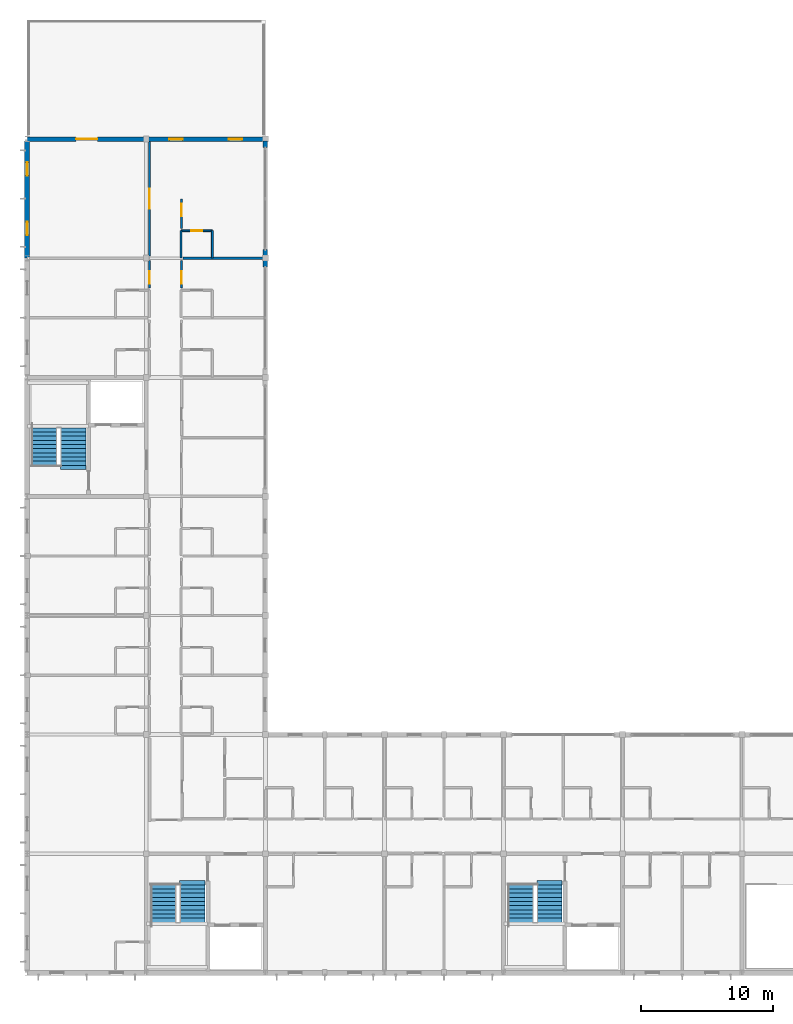
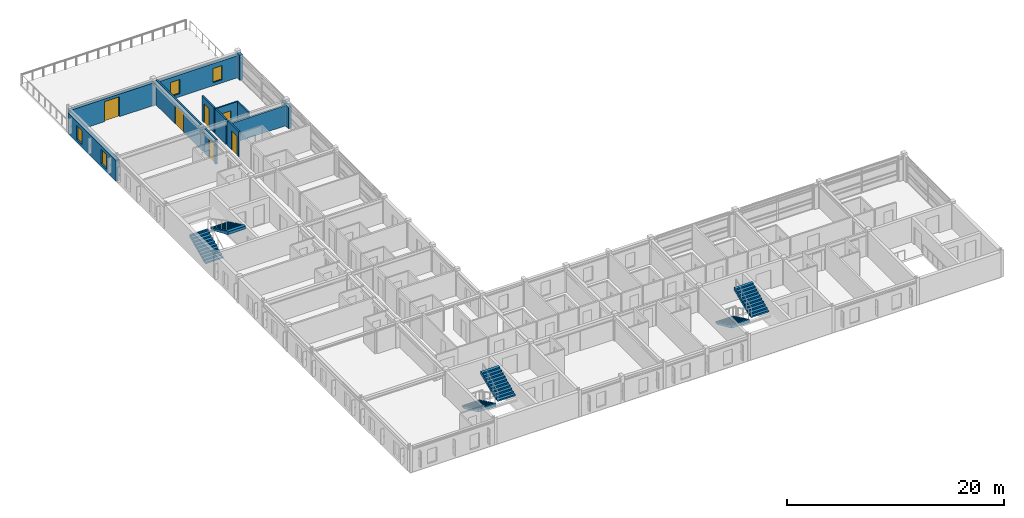
# One storey, part 14 of 20: 14 walls, 6 doors, 6 stair flights, 4 windows, 10 openings, 3 elements without a shape of their own.
"""IFC4 building model written with IfcOpenShell, lengths in metres."""

from ifc_helpers import new_model, si_unit, direction, frame, frame_2d, origin, place, context, subcontext, project, spatial, polyline, rectangle, outline, extrude, material, layer, layer_set, type_object, element, fill, aggregate, save


model = new_model("IFC4")

# Units and contexts
model_context = context("Model", 3, precision=1e-05, world=origin(), true_north=direction((0.0, 1.0)))
body_context = subcontext(model_context, "Body", "Model", "MODEL_VIEW")
ifc_project = project(units=[si_unit("LENGTHUNIT", "METRE"), si_unit("AREAUNIT", "SQUARE_METRE"), si_unit("VOLUMEUNIT", "CUBIC_METRE"), si_unit("PLANEANGLEUNIT", "RADIAN"), si_unit("MASSUNIT", "GRAM", prefix="KILO")], contexts=[model_context])

# Site, building, storey
site_placement = place(None, origin())
site = spatial("IfcSite", under=ifc_project, at=site_placement, CompositionType="ELEMENT")
building_placement = place(site_placement, origin())
building = spatial("IfcBuilding", under=site, at=building_placement, Name="Palais des Congres Ocreval", CompositionType="ELEMENT")
storey_placement = place(building_placement, frame((0.0, 0.0, 20.639892578125)))
storey = spatial("IfcBuildingStorey", under=building, at=storey_placement, Name="L06", CompositionType="ELEMENT", Elevation=20.639892578125)

# Wall, opening, door
ifc_material_1 = material(Name="Moisture-resistant gypsum board")
ifc_layer_1 = layer(ifc_material_1, 0.139892578125)
ifc_layer_set_1 = layer_set([ifc_layer_1], Name="Bathroom Plumbing Chase Wall 140 Gypsum (Moisture-resistant gypsum board)")
wall_type_1 = type_object("IfcWallType", Name="Bathroom Plumbing Chase Wall 140 Gypsum", PredefinedType="PLUMBINGWALL", material=ifc_layer_set_1)
wall_1_placement = place(storey_placement, frame((11.639892578125, 56.080078125, 0.0), z_axis=(0.0, 0.0, 1.0), x_axis=(1.0, 0.0, 0.0)))
wall_1 = element("IfcWall", 1, at=wall_1_placement, inside=storey, type_object=wall_type_1, Name="Bathroom Plumbing Wall PW03 L06", PredefinedType="PLUMBINGWALL", context=body_context, shape_type="SweptSolid", body=[
    extrude(rectangle(XDim=2.360107421875, YDim=0.139892578125, at=frame_2d((1.18017578125, 0.0))), origin(), (0.0, 0.0, 1.0), 2.820068359375),
])
opening_1_placement = place(wall_1_placement, frame((0.7548828125, 0.0, 0.0)))
opening_1 = element("IfcOpeningElement", 2, at=opening_1_placement, cuts=wall_1, Name="Opening D08", PredefinedType="OPENING", context=body_context, shape_type="SweptSolid", body=[
    extrude(rectangle(XDim=0.85009765625, YDim=2.0400390625, at=frame_2d((0.425048828125, 1.02001953125))), frame((0.0, 0.079833984375, 0.0), z_axis=(0.0, -1.0, 0.0), x_axis=(1.0, 0.0, 0.0)), (0.0, 0.0, 1.0), 0.159912109375),
])
ifc_material_2 = material(Name="Solid French oak", Category="wood")
door_type_1 = type_object("IfcDoorType", Name="En-Suite Bathroom Door 850x2040", OperationType="NOTDEFINED", PredefinedType="DOOR", material=ifc_material_2)
door_1_placement = place(opening_1_placement, origin())
door_1 = element("IfcDoor", 3, at=door_1_placement, inside=storey, type_object=door_type_1, Name="En-Suite Bathroom Door D08 L06", OperationType="SINGLE_SWING_RIGHT", OverallHeight=2.0400390625, OverallWidth=0.85009765625, PredefinedType="DOOR", context=body_context, shape_type="SweptSolid", body=[
    extrude(rectangle(XDim=0.85009765625, YDim=2.0400390625, at=frame_2d((0.425048828125, 1.02001953125))), frame((0.0, 0.02490234375, 0.0), z_axis=(0.0, -1.0, 0.0), x_axis=(1.0, 0.0, 0.0)), (0.0, 0.0, 1.0), 0.050048828125),
])
fill(opening_1, door_1)

# Walls
wall_2_placement = place(storey_placement, frame((14.0, 54.02001953125, 0.0), z_axis=(0.0, 0.0, 1.0), x_axis=(0.0, 1.0, 0.0)))
element("IfcWall", 4, at=wall_2_placement, inside=storey, type_object=wall_type_1, Name="Bathroom Plumbing Wall PW03 L06", PredefinedType="PLUMBINGWALL", context=body_context, shape_type="SweptSolid", body=[
    extrude(rectangle(XDim=2.06005859375, YDim=0.139892578125, at=frame_2d((1.030029296875, 0.0))), origin(), (0.0, 0.0, 1.0), 2.820068359375),
])
ifc_material_3 = material(Name="Gypsum acoustic partition")
ifc_layer_2 = layer(ifc_material_3, 0.159912109375)
ifc_layer_set_2 = layer_set([ifc_layer_2], Name="Corridor Fire Partition 160 Gypsum (Gypsum acoustic partition)")
wall_type_2 = type_object("IfcWallType", Name="Corridor Fire Partition 160 Gypsum", PredefinedType="PARTITIONING", material=ifc_layer_set_2)
wall_3_placement = place(storey_placement, frame((11.639892578125, 54.02001953125, 0.0), z_axis=(0.0, 0.0, 1.0), x_axis=(0.0, 1.0, 0.0)))
element("IfcWall", 5, at=wall_3_placement, inside=storey, type_object=wall_type_2, Name="Corridor Partition IW03 L06", PredefinedType="PARTITIONING", context=body_context, shape_type="SweptSolid", body=[
    extrude(rectangle(XDim=2.06005859375, YDim=0.159912109375, at=frame_2d((1.030029296875, 0.0))), origin(), (0.0, 0.0, 1.0), 2.820068359375),
])

# Wall, opening, door
wall_4_placement = place(storey_placement, frame((9.25, 51.735107421875, 0.0), z_axis=(0.0, 0.0, 1.0), x_axis=(0.0, 1.0, 0.0)))
wall_4 = element("IfcWall", 6, at=wall_4_placement, inside=storey, type_object=wall_type_2, Name="Interior Partition IW03 L06", PredefinedType="PARTITIONING", context=body_context, shape_type="SweptSolid", body=[
    extrude(rectangle(XDim=2.10986328125, YDim=0.159912109375, at=frame_2d((1.054931640625, 0.0))), origin(), (0.0, 0.0, 1.0), 2.820068359375),
])
opening_2_placement = place(wall_4_placement, frame((0.326904296875, 0.0, 0.0)))
opening_2 = element("IfcOpeningElement", 7, at=opening_2_placement, cuts=wall_4, Name="Opening D05", PredefinedType="OPENING", context=body_context, shape_type="SweptSolid", body=[
    extrude(rectangle(XDim=0.949951171875, YDim=2.14990234375, at=frame_2d((0.47509765625, 1.074951171875))), frame((0.0, 0.08984375, 0.0), z_axis=(0.0, -1.0, 0.0), x_axis=(1.0, 0.0, 0.0)), (0.0, 0.0, 1.0), 0.179931640625),
])
door_type_2 = type_object("IfcDoorType", Name="Hotel Guestroom Entrance Door 950x2150", OperationType="NOTDEFINED", PredefinedType="DOOR", material=ifc_material_2)
door_2_placement = place(opening_2_placement, origin())
door_2 = element("IfcDoor", 8, at=door_2_placement, inside=storey, type_object=door_type_2, Name="Interior Door D05 L06", OperationType="SINGLE_SWING_LEFT", OverallHeight=2.14990234375, OverallWidth=0.949951171875, PredefinedType="DOOR", context=body_context, shape_type="SweptSolid", body=[
    extrude(rectangle(XDim=0.949951171875, YDim=2.14990234375, at=frame_2d((0.47509765625, 1.074951171875))), frame((0.0, 0.02490234375, 0.0), z_axis=(0.0, -1.0, 0.0), x_axis=(1.0, 0.0, 0.0)), (0.0, 0.0, 1.0), 0.050048828125),
])
fill(opening_2, door_2)

wall_5_placement = place(storey_placement, frame((11.669921875, 51.735107421875, 0.0), z_axis=(0.0, 0.0, 1.0), x_axis=(0.0, 1.0, 0.0)))
wall_5 = element("IfcWall", 9, at=wall_5_placement, inside=storey, type_object=wall_type_2, Name="Interior Partition IW03 L06", PredefinedType="PARTITIONING", context=body_context, shape_type="SweptSolid", body=[
    extrude(rectangle(XDim=2.10986328125, YDim=0.159912109375, at=frame_2d((1.054931640625, 0.0))), origin(), (0.0, 0.0, 1.0), 2.820068359375),
])
opening_3_placement = place(wall_5_placement, frame((0.326904296875, 0.0, 0.0)))
opening_3 = element("IfcOpeningElement", 10, at=opening_3_placement, cuts=wall_5, Name="Opening D05", PredefinedType="OPENING", context=body_context, shape_type="SweptSolid", body=[
    extrude(rectangle(XDim=0.949951171875, YDim=2.14990234375, at=frame_2d((0.47509765625, 1.074951171875))), frame((0.0, 0.08984375, 0.0), z_axis=(0.0, -1.0, 0.0), x_axis=(1.0, 0.0, 0.0)), (0.0, 0.0, 1.0), 0.179931640625),
])
door_3_placement = place(opening_3_placement, origin())
door_3 = element("IfcDoor", 11, at=door_3_placement, inside=storey, type_object=door_type_2, Name="Interior Door D05 L06", OperationType="SINGLE_SWING_LEFT", OverallHeight=2.14990234375, OverallWidth=0.949951171875, PredefinedType="DOOR", context=body_context, shape_type="SweptSolid", body=[
    extrude(rectangle(XDim=0.949951171875, YDim=2.14990234375, at=frame_2d((0.47509765625, 1.074951171875))), frame((0.0, 0.02490234375, 0.0), z_axis=(0.0, -1.0, 0.0), x_axis=(1.0, 0.0, 0.0)), (0.0, 0.0, 1.0), 0.050048828125),
])
fill(opening_3, door_3)

wall_6_placement = place(storey_placement, frame((9.25, 54.155029296875, 0.0), z_axis=(0.0, 0.0, 1.0), x_axis=(0.0, 1.0, 0.0)))
wall_6 = element("IfcWall", 12, at=wall_6_placement, inside=storey, type_object=wall_type_2, Name="Interior Partition IW03 L06", PredefinedType="PARTITIONING", context=body_context, shape_type="SweptSolid", body=[
    extrude(rectangle(XDim=8.669921875, YDim=0.159912109375, at=frame_2d((4.3349609375, 0.0))), origin(), (0.0, 0.0, 1.0), 2.820068359375),
])
opening_4_placement = place(wall_6_placement, frame((3.5849609375, 0.0, 0.0)))
opening_4 = element("IfcOpeningElement", 13, at=opening_4_placement, cuts=wall_6, Name="Opening D04", PredefinedType="OPENING", context=body_context, shape_type="SweptSolid", body=[
    extrude(rectangle(XDim=1.5, YDim=2.10009765625, at=frame_2d((0.75, 1.050048828125))), frame((0.0, 0.08984375, 0.0), z_axis=(0.0, -1.0, 0.0), x_axis=(1.0, 0.0, 0.0)), (0.0, 0.0, 1.0), 0.179931640625),
])
ifc_material_4 = material(Name="Solid French oak fire door", Category="wood")
door_type_3 = type_object("IfcDoorType", Name="Corridor Compartment Double Door 1500x2100", OperationType="NOTDEFINED", PredefinedType="DOOR", material=ifc_material_4)
door_4_placement = place(opening_4_placement, origin())
door_4 = element("IfcDoor", 14, at=door_4_placement, inside=storey, type_object=door_type_3, Name="Interior Door D04 L06", OperationType="DOUBLE_DOOR_SINGLE_SWING", OverallHeight=2.10009765625, OverallWidth=1.5, PredefinedType="DOOR", context=body_context, shape_type="SweptSolid", body=[
    extrude(rectangle(XDim=1.5, YDim=2.10009765625, at=frame_2d((0.75, 1.050048828125))), frame((0.0, 0.02490234375, 0.0), z_axis=(0.0, -1.0, 0.0), x_axis=(1.0, 0.0, 0.0)), (0.0, 0.0, 1.0), 0.050048828125),
])
fill(opening_4, door_4)

wall_7_placement = place(storey_placement, frame((11.669921875, 56.235107421875, 0.0), z_axis=(0.0, 0.0, 1.0), x_axis=(0.0, 1.0, 0.0)))
wall_7 = element("IfcWall", 15, at=wall_7_placement, inside=storey, type_object=wall_type_2, Name="Interior Partition IW03 L06", PredefinedType="PARTITIONING", context=body_context, shape_type="SweptSolid", body=[
    extrude(rectangle(XDim=2.244873046875, YDim=0.159912109375, at=frame_2d((1.12255859375, 0.0))), origin(), (0.0, 0.0, 1.0), 2.820068359375),
])
opening_5_placement = place(wall_7_placement, frame((0.9169921875, 0.0, 0.0)))
opening_5 = element("IfcOpeningElement", 16, at=opening_5_placement, cuts=wall_7, Name="Opening D05", PredefinedType="OPENING", context=body_context, shape_type="SweptSolid", body=[
    extrude(rectangle(XDim=0.949951171875, YDim=2.14990234375, at=frame_2d((0.47509765625, 1.074951171875))), frame((0.0, 0.08984375, 0.0), z_axis=(0.0, -1.0, 0.0), x_axis=(1.0, 0.0, 0.0)), (0.0, 0.0, 1.0), 0.179931640625),
])
door_5_placement = place(opening_5_placement, origin())
door_5 = element("IfcDoor", 17, at=door_5_placement, inside=storey, type_object=door_type_2, Name="Interior Door D05 L06", OperationType="SINGLE_SWING_RIGHT", OverallHeight=2.14990234375, OverallWidth=0.949951171875, PredefinedType="DOOR", context=body_context, shape_type="SweptSolid", body=[
    extrude(rectangle(XDim=0.949951171875, YDim=2.14990234375, at=frame_2d((0.47509765625, 1.074951171875))), frame((0.0, 0.02490234375, 0.0), z_axis=(0.0, -1.0, 0.0), x_axis=(1.0, 0.0, 0.0)), (0.0, 0.0, 1.0), 0.050048828125),
])
fill(opening_5, door_5)

# Wall
ifc_layer_3 = layer(ifc_material_3, 0.179931640625)
ifc_layer_set_3 = layer_set([ifc_layer_3], Name="Hotel Inter-Room Acoustic Partition 180 Gypsum (Gypsum acoustic partition)")
wall_type_3 = type_object("IfcWallType", Name="Hotel Inter-Room Acoustic Partition 180 Gypsum", PredefinedType="PARTITIONING", material=ifc_layer_set_3)
wall_8_placement = place(storey_placement, frame((11.794921875, 54.0, 0.0), z_axis=(0.0, 0.0, 1.0), x_axis=(1.0, 0.0, 0.0)))
element("IfcWall", 18, at=wall_8_placement, inside=storey, type_object=wall_type_3, Name="Hotel Party Partition IW02 L06", PredefinedType="PARTITIONING", context=body_context, shape_type="SweptSolid", body=[
    extrude(rectangle(XDim=6.030029296875, YDim=0.179931640625, at=frame_2d((3.01513671875, 0.0))), origin(), (0.0, 0.0, 1.0), 2.280029296875),
])

# Wall, openings, windows
ifc_material_5 = material(Name="Concrete C40/50", Category="concrete")
ifc_layer_4 = layer(ifc_material_5, 0.3798828125)
ifc_layer_set_4 = layer_set([ifc_layer_4], Name="Lutetian Limestone Street Wall 380 Concrete C40/50")
wall_type_4 = type_object("IfcWallType", Name="Lutetian Limestone Street Wall 380 Concrete C40/50", PredefinedType="SOLIDWALL", material=ifc_layer_set_4)
wall_9_placement = place(storey_placement, frame((0.0, 54.0, 0.0), z_axis=(0.0, 0.0, 1.0), x_axis=(0.0, 1.0, 0.0)))
wall_9 = element("IfcWall", 19, at=wall_9_placement, inside=storey, type_object=wall_type_4, Name="Exterior Wall EW03 L06", PredefinedType="SOLIDWALL", context=body_context, shape_type="SweptSolid", body=[
    extrude(rectangle(XDim=8.844970703125, YDim=0.3798828125, at=frame_2d((4.42236328125, 0.0))), origin(), (0.0, 0.0, 1.0), 2.380126953125),
])
opening_6_placement = place(wall_9_placement, frame((1.75, 0.0, 0.35009765625)))
opening_6 = element("IfcOpeningElement", 20, at=opening_6_placement, cuts=wall_9, Name="Opening WN18", PredefinedType="OPENING", context=body_context, shape_type="SweptSolid", body=[
    extrude(rectangle(XDim=1.0, YDim=1.60009765625, at=frame_2d((0.5, 0.800048828125))), frame((0.0, 0.199951171875, 0.0), z_axis=(0.0, -1.0, 0.0), x_axis=(1.0, 0.0, 0.0)), (0.0, 0.0, 1.0), 0.39990234375),
])
opening_7_placement = place(wall_9_placement, frame((6.25, 0.0, 0.35009765625)))
opening_7 = element("IfcOpeningElement", 21, at=opening_7_placement, cuts=wall_9, Name="Opening WN18", PredefinedType="OPENING", context=body_context, shape_type="SweptSolid", body=[
    extrude(rectangle(XDim=1.0, YDim=1.60009765625, at=frame_2d((0.5, 0.800048828125))), frame((0.0, 0.199951171875, 0.0), z_axis=(0.0, -1.0, 0.0), x_axis=(1.0, 0.0, 0.0)), (0.0, 0.0, 1.0), 0.39990234375),
])
ifc_material_6 = material(Name="Anodized bronze aluminium and low-E glass", Category="glass")
window_type = type_object("IfcWindowType", Name="Stair and Lobby Daylight Window 1000x1600", PartitioningType="SINGLE_PANEL", PredefinedType="WINDOW", material=ifc_material_6)
window_1_placement = place(opening_6_placement, origin())
window_1 = element("IfcWindow", 22, at=window_1_placement, inside=storey, type_object=window_type, Name="Hotel Facade Window WN18", OverallHeight=1.60009765625, OverallWidth=1.0, PartitioningType="SINGLE_PANEL", PredefinedType="WINDOW", context=body_context, shape_type="SweptSolid", body=[
    extrude(rectangle(XDim=1.0, YDim=1.60009765625, at=frame_2d((0.5, 0.800048828125))), frame((0.0, 0.030029296875, 0.0), z_axis=(0.0, -1.0, 0.0), x_axis=(1.0, 0.0, 0.0)), (0.0, 0.0, 1.0), 0.06005859375),
])
fill(opening_6, window_1)
window_2_placement = place(opening_7_placement, origin())
window_2 = element("IfcWindow", 23, at=window_2_placement, inside=storey, type_object=window_type, Name="Hotel Facade Window WN18", OverallHeight=1.60009765625, OverallWidth=1.0, PartitioningType="SINGLE_PANEL", PredefinedType="WINDOW", context=body_context, shape_type="SweptSolid", body=[
    extrude(rectangle(XDim=1.0, YDim=1.60009765625, at=frame_2d((0.5, 0.800048828125))), frame((0.0, 0.030029296875, 0.0), z_axis=(0.0, -1.0, 0.0), x_axis=(1.0, 0.0, 0.0)), (0.0, 0.0, 1.0), 0.06005859375),
])
fill(opening_7, window_2)

# Wall, opening, door
ifc_layer_5 = layer(ifc_material_5, 0.340087890625)
ifc_layer_set_5 = layer_set([ifc_layer_5], Name="Ochre Mineral-Lime Courtyard Wall 340 Concrete C40/50")
wall_type_5 = type_object("IfcWallType", Name="Ochre Mineral-Lime Courtyard Wall 340 Concrete C40/50", PredefinedType="SOLIDWALL", material=ifc_layer_set_5)
wall_10_placement = place(storey_placement, frame((0.0, 63.0, 0.0), z_axis=(0.0, 0.0, 1.0), x_axis=(1.0, 0.0, 0.0)))
wall_10 = element("IfcWall", 24, at=wall_10_placement, inside=storey, type_object=wall_type_5, Name="Exterior Wall EW04 L06", PredefinedType="SOLIDWALL", context=body_context, shape_type="SweptSolid", body=[
    extrude(rectangle(XDim=9.0, YDim=0.340087890625, at=frame_2d((4.5, 0.0))), origin(), (0.0, 0.0, 1.0), 2.550048828125),
])
opening_8_placement = place(wall_10_placement, frame((3.699951171875, 0.0, 0.0)))
opening_8 = element("IfcOpeningElement", 25, at=opening_8_placement, cuts=wall_10, Name="Opening TD02", PredefinedType="OPENING", context=body_context, shape_type="SweptSolid", body=[
    extrude(rectangle(XDim=1.60009765625, YDim=2.25, at=frame_2d((0.800048828125, 1.125))), frame((0.0, 0.179931640625, 0.0), z_axis=(0.0, -1.0, 0.0), x_axis=(1.0, 0.0, 0.0)), (0.0, 0.0, 1.0), 0.360107421875),
])
ifc_material_7 = material(Name="Anodized bronze aluminium and safety glass", Category="aluminium")
door_type_4 = type_object("IfcDoorType", Name="Suite Terrace French Door 1600x2250", OperationType="NOTDEFINED", PredefinedType="DOOR", material=ifc_material_7)
door_6_placement = place(opening_8_placement, origin())
door_6 = element("IfcDoor", 26, at=door_6_placement, inside=storey, type_object=door_type_4, Name="Terrace Access Door Hotel North Cloister Terrace", OperationType="DOUBLE_DOOR_SINGLE_SWING", OverallHeight=2.25, OverallWidth=1.60009765625, PredefinedType="DOOR", context=body_context, shape_type="SweptSolid", body=[
    extrude(rectangle(XDim=1.60009765625, YDim=2.25, at=frame_2d((0.800048828125, 1.125))), frame((0.0, 0.02490234375, 0.0), z_axis=(0.0, -1.0, 0.0), x_axis=(1.0, 0.0, 0.0)), (0.0, 0.0, 1.0), 0.050048828125),
])
fill(opening_8, door_6)

# Wall, openings, windows
wall_11_placement = place(storey_placement, frame((9.0, 63.0, 0.0), z_axis=(0.0, 0.0, 1.0), x_axis=(1.0, 0.0, 0.0)))
wall_11 = element("IfcWall", 27, at=wall_11_placement, inside=storey, type_object=wall_type_5, Name="Exterior Wall EW04 L06", PredefinedType="SOLIDWALL", context=body_context, shape_type="SweptSolid", body=[
    extrude(rectangle(XDim=9.0, YDim=0.340087890625, at=frame_2d((4.5, 0.0))), origin(), (0.0, 0.0, 1.0), 2.480224609375),
])
opening_9_placement = place(wall_11_placement, frame((1.75, 0.0, 0.35009765625)))
opening_9 = element("IfcOpeningElement", 28, at=opening_9_placement, cuts=wall_11, Name="Opening WN18", PredefinedType="OPENING", context=body_context, shape_type="SweptSolid", body=[
    extrude(rectangle(XDim=1.0, YDim=1.60009765625, at=frame_2d((0.5, 0.800048828125))), frame((0.0, 0.179931640625, 0.0), z_axis=(0.0, -1.0, 0.0), x_axis=(1.0, 0.0, 0.0)), (0.0, 0.0, 1.0), 0.360107421875),
])
opening_10_placement = place(wall_11_placement, frame((6.25, 0.0, 0.35009765625)))
opening_10 = element("IfcOpeningElement", 29, at=opening_10_placement, cuts=wall_11, Name="Opening WN18", PredefinedType="OPENING", context=body_context, shape_type="SweptSolid", body=[
    extrude(rectangle(XDim=1.0, YDim=1.60009765625, at=frame_2d((0.5, 0.800048828125))), frame((0.0, 0.179931640625, 0.0), z_axis=(0.0, -1.0, 0.0), x_axis=(1.0, 0.0, 0.0)), (0.0, 0.0, 1.0), 0.360107421875),
])
window_3_placement = place(opening_9_placement, origin())
window_3 = element("IfcWindow", 30, at=window_3_placement, inside=storey, type_object=window_type, Name="Hotel Facade Window WN18", OverallHeight=1.60009765625, OverallWidth=1.0, PartitioningType="SINGLE_PANEL", PredefinedType="WINDOW", context=body_context, shape_type="SweptSolid", body=[
    extrude(rectangle(XDim=1.0, YDim=1.60009765625, at=frame_2d((0.5, 0.800048828125))), frame((0.0, 0.030029296875, 0.0), z_axis=(0.0, -1.0, 0.0), x_axis=(1.0, 0.0, 0.0)), (0.0, 0.0, 1.0), 0.06005859375),
])
fill(opening_9, window_3)
window_4_placement = place(opening_10_placement, origin())
window_4 = element("IfcWindow", 31, at=window_4_placement, inside=storey, type_object=window_type, Name="Hotel Facade Window WN18", OverallHeight=1.60009765625, OverallWidth=1.0, PartitioningType="SINGLE_PANEL", PredefinedType="WINDOW", context=body_context, shape_type="SweptSolid", body=[
    extrude(rectangle(XDim=1.0, YDim=1.60009765625, at=frame_2d((0.5, 0.800048828125))), frame((0.0, 0.030029296875, 0.0), z_axis=(0.0, -1.0, 0.0), x_axis=(1.0, 0.0, 0.0)), (0.0, 0.0, 1.0), 0.06005859375),
])
fill(opening_10, window_4)

# Walls
wall_12_placement = place(storey_placement, frame((18.0, 62.844970703125, 0.0), z_axis=(0.0, 0.0, 1.0), x_axis=(0.0, -1.0, 0.0)))
element("IfcWall", 32, at=wall_12_placement, inside=storey, type_object=wall_type_5, Name="Facade Pier EW04 L06", PredefinedType="SOLIDWALL", context=body_context, shape_type="SweptSolid", body=[
    extrude(rectangle(XDim=0.494873046875, YDim=0.340087890625, at=frame_2d((0.24755859375, 0.0))), origin(), (0.0, 0.0, 1.0), 2.820068359375),
])
wall_13_placement = place(storey_placement, frame((18.0, 54.64990234375, 0.0), z_axis=(0.0, 0.0, 1.0), x_axis=(0.0, -1.0, 0.0)))
element("IfcWall", 33, at=wall_13_placement, inside=storey, type_object=wall_type_5, Name="Facade Pier EW04 L06", PredefinedType="SOLIDWALL", context=body_context, shape_type="SweptSolid", body=[
    extrude(rectangle(XDim=0.64990234375, YDim=0.340087890625, at=frame_2d((0.324951171875, 0.0))), origin(), (0.0, 0.0, 1.0), 2.380126953125),
])
wall_14_placement = place(storey_placement, frame((18.0, 54.0, 0.0), z_axis=(0.0, 0.0, 1.0), x_axis=(0.0, -1.0, 0.0)))
element("IfcWall", 34, at=wall_14_placement, inside=storey, type_object=wall_type_5, Name="Facade Pier EW04 L06", PredefinedType="SOLIDWALL", context=body_context, shape_type="SweptSolid", body=[
    extrude(rectangle(XDim=0.64990234375, YDim=0.340087890625, at=frame_2d((0.324951171875, 0.0))), origin(), (0.0, 0.0, 1.0), 2.420166015625),
])

# Stair, stair flights
stair_type = type_object("IfcStairType", Name="Hotel Core Stair L03-L06 1900 Concrete C40/50", PredefinedType="HALF_TURN_STAIR", material=ifc_material_5)
stair_1_placement = place(storey_placement, origin())
stair_1 = element("IfcStair", 35, at=stair_1_placement, inside=storey, type_object=stair_type, Name="Protected Core Stair ST01 L06", PredefinedType="HALF_TURN_STAIR")
stair_flight_type = type_object("IfcStairFlightType", Name="Hotel Stair Flight 10R x 152/295 W1900 Concrete C40/50", PredefinedType="STRAIGHT", material=ifc_material_5)
stair_flight_1_placement = place(storey_placement, frame((10.320068359375, 6.64990234375, 0.0), z_axis=(0.0, 0.0, 1.0), x_axis=(0.0, -1.0, 0.0)))
stair_flight_1 = element("IfcStairFlight", 36, at=stair_flight_1_placement, type_object=stair_flight_type, Name="Stair ST01 L06 Flight 1", NumberOfRisers=10, NumberOfTreads=9, PredefinedType="STRAIGHT", RiserHeight=0.152, TreadLength=0.315, context=body_context, shape_type="SweptSolid", body=[
    extrude(outline(polyline([(-0.006103515625, 0.0), (-0.006103515625, 0.075927734375), (0.0, 0.152099609375), (0.31494140625, 0.152099609375), (0.31494140625, 0.303955078125), (0.6298828125, 0.303955078125), (0.6298828125, 0.4560546875), (0.945068359375, 0.4560546875), (0.945068359375, 0.60791015625), (1.260009765625, 0.60791015625), (1.260009765625, 0.760009765625), (1.574951171875, 0.760009765625), (1.574951171875, 0.912109375), (1.889892578125, 0.912109375), (1.889892578125, 1.06396484375), (2.205078125, 1.06396484375), (2.205078125, 1.216064453125), (2.52001953125, 1.216064453125), (2.52001953125, 1.367919921875), (2.8349609375, 1.367919921875), (2.8349609375, 1.52001953125), (2.9951171875, 1.52001953125), (2.9951171875, 1.1904296875), (0.367919921875, 0.0), (-0.006103515625, 0.0)])), frame((0.0, 0.949951171875, 0.0), z_axis=(0.0, -1.0, 0.0), x_axis=(1.0, 0.0, 0.0)), (0.0, 0.0, 1.0), 1.89990234375),
])
stair_flight_2_placement = place(storey_placement, frame((12.47998046875, 3.81494140625, 1.52001953125), z_axis=(0.0, 0.0, 1.0), x_axis=(0.0, 1.0, 0.0)))
stair_flight_2 = element("IfcStairFlight", 37, at=stair_flight_2_placement, type_object=stair_flight_type, Name="Stair ST01 L06 Flight 2", NumberOfRisers=10, NumberOfTreads=9, PredefinedType="STRAIGHT", RiserHeight=0.152, TreadLength=0.315, context=body_context, shape_type="SweptSolid", body=[
    extrude(outline(polyline([(-0.006103515625, 0.0), (-0.006103515625, 0.075927734375), (0.0, 0.152099609375), (0.31494140625, 0.152099609375), (0.31494140625, 0.303955078125), (0.6298828125, 0.303955078125), (0.6298828125, 0.4560546875), (0.945068359375, 0.4560546875), (0.945068359375, 0.60791015625), (1.260009765625, 0.60791015625), (1.260009765625, 0.760009765625), (1.574951171875, 0.760009765625), (1.574951171875, 0.912109375), (1.889892578125, 0.912109375), (1.889892578125, 1.06396484375), (2.205078125, 1.06396484375), (2.205078125, 1.216064453125), (2.52001953125, 1.216064453125), (2.52001953125, 1.367919921875), (2.8349609375, 1.367919921875), (2.8349609375, 1.52001953125), (3.14990234375, 1.52001953125), (3.14990234375, 1.1904296875), (0.367919921875, 0.0), (-0.006103515625, 0.0)])), frame((0.0, 0.949951171875, 0.0), z_axis=(0.0, -1.0, 0.0), x_axis=(1.0, 0.0, 0.0)), (0.0, 0.0, 1.0), 1.89990234375),
])
aggregate(stair_1, [stair_flight_1, stair_flight_2])

stair_2_placement = place(storey_placement, origin())
stair_2 = element("IfcStair", 38, at=stair_2_placement, inside=storey, type_object=stair_type, Name="Protected Core Stair ST02 L06", PredefinedType="HALF_TURN_STAIR")
stair_flight_3_placement = place(storey_placement, frame((37.320068359375, 6.64990234375, 0.0), z_axis=(0.0, 0.0, 1.0), x_axis=(0.0, -1.0, 0.0)))
stair_flight_3 = element("IfcStairFlight", 39, at=stair_flight_3_placement, type_object=stair_flight_type, Name="Stair ST02 L06 Flight 1", NumberOfRisers=10, NumberOfTreads=9, PredefinedType="STRAIGHT", RiserHeight=0.152, TreadLength=0.315, context=body_context, shape_type="SweptSolid", body=[
    extrude(outline(polyline([(-0.006103515625, 0.0), (-0.006103515625, 0.075927734375), (0.0, 0.152099609375), (0.31494140625, 0.152099609375), (0.31494140625, 0.303955078125), (0.6298828125, 0.303955078125), (0.6298828125, 0.4560546875), (0.945068359375, 0.4560546875), (0.945068359375, 0.60791015625), (1.260009765625, 0.60791015625), (1.260009765625, 0.760009765625), (1.574951171875, 0.760009765625), (1.574951171875, 0.912109375), (1.889892578125, 0.912109375), (1.889892578125, 1.06396484375), (2.205078125, 1.06396484375), (2.205078125, 1.216064453125), (2.52001953125, 1.216064453125), (2.52001953125, 1.367919921875), (2.8349609375, 1.367919921875), (2.8349609375, 1.52001953125), (2.9951171875, 1.52001953125), (2.9951171875, 1.1904296875), (0.367919921875, 0.0), (-0.006103515625, 0.0)])), frame((0.0, 0.949951171875, 0.0), z_axis=(0.0, -1.0, 0.0), x_axis=(1.0, 0.0, 0.0)), (0.0, 0.0, 1.0), 1.89990234375),
])
stair_flight_4_placement = place(storey_placement, frame((39.47998046875, 3.81494140625, 1.52001953125), z_axis=(0.0, 0.0, 1.0), x_axis=(0.0, 1.0, 0.0)))
stair_flight_4 = element("IfcStairFlight", 40, at=stair_flight_4_placement, type_object=stair_flight_type, Name="Stair ST02 L06 Flight 2", NumberOfRisers=10, NumberOfTreads=9, PredefinedType="STRAIGHT", RiserHeight=0.152, TreadLength=0.315, context=body_context, shape_type="SweptSolid", body=[
    extrude(outline(polyline([(-0.006103515625, 0.0), (-0.006103515625, 0.075927734375), (0.0, 0.152099609375), (0.31494140625, 0.152099609375), (0.31494140625, 0.303955078125), (0.6298828125, 0.303955078125), (0.6298828125, 0.4560546875), (0.945068359375, 0.4560546875), (0.945068359375, 0.60791015625), (1.260009765625, 0.60791015625), (1.260009765625, 0.760009765625), (1.574951171875, 0.760009765625), (1.574951171875, 0.912109375), (1.889892578125, 0.912109375), (1.889892578125, 1.06396484375), (2.205078125, 1.06396484375), (2.205078125, 1.216064453125), (2.52001953125, 1.216064453125), (2.52001953125, 1.367919921875), (2.8349609375, 1.367919921875), (2.8349609375, 1.52001953125), (3.14990234375, 1.52001953125), (3.14990234375, 1.1904296875), (0.367919921875, 0.0), (-0.006103515625, 0.0)])), frame((0.0, 0.949951171875, 0.0), z_axis=(0.0, -1.0, 0.0), x_axis=(1.0, 0.0, 0.0)), (0.0, 0.0, 1.0), 1.89990234375),
])
aggregate(stair_2, [stair_flight_3, stair_flight_4])

stair_3_placement = place(storey_placement, origin())
stair_3 = element("IfcStair", 41, at=stair_3_placement, inside=storey, type_object=stair_type, Name="Protected Core Stair ST03 L06", PredefinedType="HALF_TURN_STAIR")
stair_flight_5_placement = place(storey_placement, frame((1.320068359375, 38.35009765625, 0.0), z_axis=(0.0, 0.0, 1.0), x_axis=(0.0, 1.0, 0.0)))
stair_flight_5 = element("IfcStairFlight", 42, at=stair_flight_5_placement, type_object=stair_flight_type, Name="Stair ST03 L06 Flight 1", NumberOfRisers=10, NumberOfTreads=9, PredefinedType="STRAIGHT", RiserHeight=0.152, TreadLength=0.315, context=body_context, shape_type="SweptSolid", body=[
    extrude(outline(polyline([(-0.006103515625, 0.0), (-0.006103515625, 0.075927734375), (0.0, 0.152099609375), (0.31494140625, 0.152099609375), (0.31494140625, 0.303955078125), (0.6298828125, 0.303955078125), (0.6298828125, 0.4560546875), (0.945068359375, 0.4560546875), (0.945068359375, 0.60791015625), (1.260009765625, 0.60791015625), (1.260009765625, 0.760009765625), (1.574951171875, 0.760009765625), (1.574951171875, 0.912109375), (1.889892578125, 0.912109375), (1.889892578125, 1.06396484375), (2.205078125, 1.06396484375), (2.205078125, 1.216064453125), (2.52001953125, 1.216064453125), (2.52001953125, 1.367919921875), (2.8349609375, 1.367919921875), (2.8349609375, 1.52001953125), (2.9951171875, 1.52001953125), (2.9951171875, 1.1904296875), (0.367919921875, 0.0), (-0.006103515625, 0.0)])), frame((0.0, 0.949951171875, 0.0), z_axis=(0.0, -1.0, 0.0), x_axis=(1.0, 0.0, 0.0)), (0.0, 0.0, 1.0), 1.89990234375),
])
stair_flight_6_placement = place(storey_placement, frame((3.47998046875, 41.18505859375, 1.52001953125), z_axis=(0.0, 0.0, 1.0), x_axis=(0.0, -1.0, 0.0)))
stair_flight_6 = element("IfcStairFlight", 43, at=stair_flight_6_placement, type_object=stair_flight_type, Name="Stair ST03 L06 Flight 2", NumberOfRisers=10, NumberOfTreads=9, PredefinedType="STRAIGHT", RiserHeight=0.152, TreadLength=0.315, context=body_context, shape_type="SweptSolid", body=[
    extrude(outline(polyline([(-0.006103515625, 0.0), (-0.006103515625, 0.075927734375), (0.0, 0.152099609375), (0.31494140625, 0.152099609375), (0.31494140625, 0.303955078125), (0.6298828125, 0.303955078125), (0.6298828125, 0.4560546875), (0.945068359375, 0.4560546875), (0.945068359375, 0.60791015625), (1.260009765625, 0.60791015625), (1.260009765625, 0.760009765625), (1.574951171875, 0.760009765625), (1.574951171875, 0.912109375), (1.889892578125, 0.912109375), (1.889892578125, 1.06396484375), (2.205078125, 1.06396484375), (2.205078125, 1.216064453125), (2.52001953125, 1.216064453125), (2.52001953125, 1.367919921875), (2.8349609375, 1.367919921875), (2.8349609375, 1.52001953125), (3.14990234375, 1.52001953125), (3.14990234375, 1.1904296875), (0.367919921875, 0.0), (-0.006103515625, 0.0)])), frame((0.0, 0.949951171875, 0.0), z_axis=(0.0, -1.0, 0.0), x_axis=(1.0, 0.0, 0.0)), (0.0, 0.0, 1.0), 1.89990234375),
])
aggregate(stair_3, [stair_flight_5, stair_flight_6])

save(model, "model.ifc")
